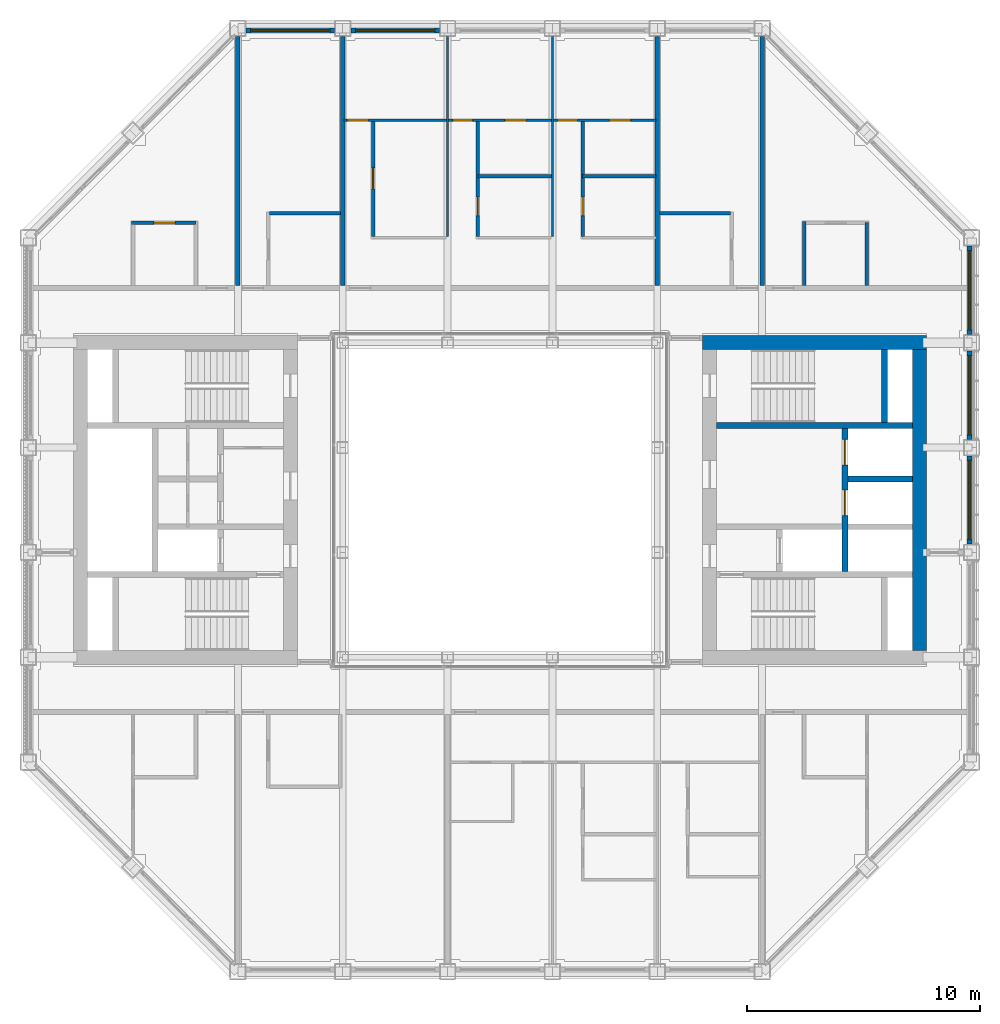
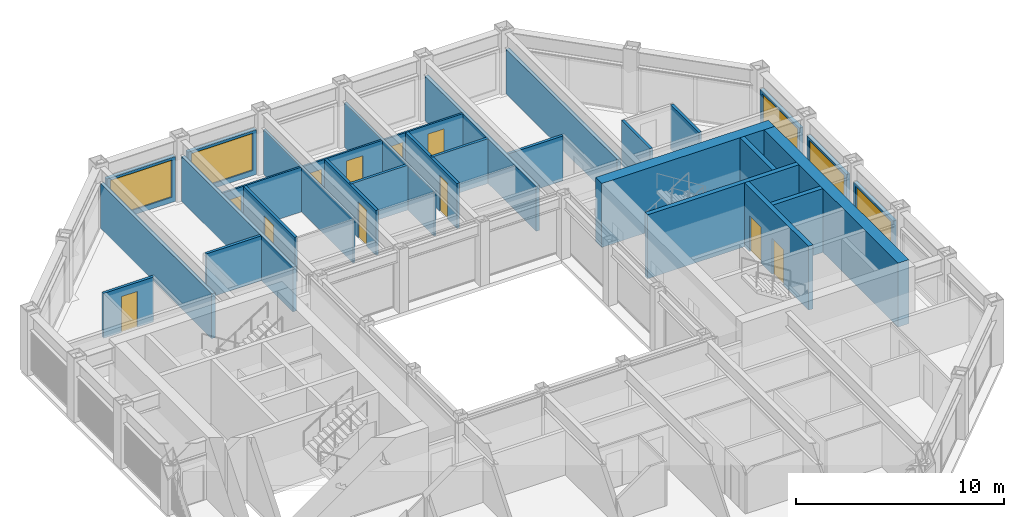
# One storey, part 12 of 17: 30 walls, 11 doors, 5 windows, 16 openings.
"""IFC4 building model written with IfcOpenShell, lengths in metres."""

from ifc_helpers import new_model, si_unit, direction, frame, frame_2d, origin, place, context, subcontext, project, spatial, rectangle, extrude, material, layer, layer_set, type_object, element, fill, save


model = new_model("IFC4")

# Units and contexts
model_context = context("Model", 3, precision=1e-05, world=origin(), true_north=direction((0.0, 1.0)))
body_context = subcontext(model_context, "Body", "Model", "MODEL_VIEW")
ifc_project = project(units=[si_unit("LENGTHUNIT", "METRE"), si_unit("AREAUNIT", "SQUARE_METRE"), si_unit("VOLUMEUNIT", "CUBIC_METRE"), si_unit("PLANEANGLEUNIT", "RADIAN"), si_unit("MASSUNIT", "GRAM", prefix="KILO")], contexts=[model_context])

# Site, building, storey
site_placement = place(None, origin())
site = spatial("IfcSite", under=ifc_project, at=site_placement, CompositionType="ELEMENT")
building_placement = place(site_placement, origin())
building = spatial("IfcBuilding", under=site, at=building_placement, Name="Msasa Ring Tower", CompositionType="ELEMENT")
storey_placement = place(building_placement, frame((0.0, 0.0, 242.050048828125)))
storey = spatial("IfcBuildingStorey", under=building, at=storey_placement, Name="L63", CompositionType="ELEMENT", Elevation=242.050048828125)

# Walls
ifc_material_1 = material(Name="Concrete C60/75", Category="concrete")
ifc_layer_1 = layer(ifc_material_1, 0.60009765625)
ifc_layer_set_1 = layer_set([ifc_layer_1], Name="CW3 CORE WALL 600")
wall_type_1 = type_object("IfcWallType", Name="CW3 CORE WALL 600", PredefinedType="SHEAR", material=ifc_layer_set_1)
wall_1_placement = place(storey_placement, frame((8.699951171875, 6.75, 0.0), z_axis=(0.0, 0.0, 1.0), x_axis=(1.0, 0.0, 0.0)))
element("IfcWall", 1, at=wall_1_placement, inside=storey, type_object=wall_type_1, Name="E core wall N L63", PredefinedType="SHEAR", context=body_context, shape_type="SweptSolid", body=[
    extrude(rectangle(XDim=9.60009765625, YDim=0.60009765625, at=frame_2d((4.800048828125, 0.0))), origin(), (0.0, 0.0, 1.0), 3.75),
])
wall_2_placement = place(storey_placement, frame((18.0, -6.449951171875, 0.0), z_axis=(0.0, 0.0, 1.0), x_axis=(0.0, 1.0, 0.0)))
element("IfcWall", 2, at=wall_2_placement, inside=storey, type_object=wall_type_1, Name="E core wall E L63", PredefinedType="SHEAR", context=body_context, shape_type="SweptSolid", body=[
    extrude(rectangle(XDim=12.89990234375, YDim=0.60009765625, at=frame_2d((6.449951171875, 0.0))), origin(), (0.0, 0.0, 1.0), 3.75),
])
ifc_material_2 = material(Name="Concrete C60/75", Category="concrete")
ifc_layer_2 = layer(ifc_material_2, 0.25)
ifc_layer_set_2 = layer_set([ifc_layer_2], Name="CW4 CORE INNER WALL 250")
wall_type_2 = type_object("IfcWallType", Name="CW4 CORE INNER WALL 250", PredefinedType="SHEAR", material=ifc_layer_set_2)
wall_3_placement = place(storey_placement, frame((9.300048828125, 3.199951171875, 0.0), z_axis=(0.0, 0.0, 1.0), x_axis=(1.0, 0.0, 0.0)))
element("IfcWall", 3, at=wall_3_placement, inside=storey, type_object=wall_type_2, Name="E core wall STAIRB L63", PredefinedType="SHEAR", context=body_context, shape_type="SweptSolid", body=[
    extrude(rectangle(XDim=8.39990234375, YDim=0.25, at=frame_2d((4.199951171875, 0.0))), origin(), (0.0, 0.0, 1.0), 3.75),
])
wall_4_placement = place(storey_placement, frame((16.5, 3.324951171875, 0.0), z_axis=(0.0, 0.0, 1.0), x_axis=(0.0, 1.0, 0.0)))
element("IfcWall", 4, at=wall_4_placement, inside=storey, type_object=wall_type_2, Name="E core wall RISERB L63", PredefinedType="SHEAR", context=body_context, shape_type="SweptSolid", body=[
    extrude(rectangle(XDim=3.125, YDim=0.25, at=frame_2d((1.5625, 0.0))), origin(), (0.0, 0.0, 1.0), 3.75),
])

# Wall, openings, doors
wall_5_placement = place(storey_placement, frame((14.800048828125, -3.074951171875, 0.0), z_axis=(0.0, 0.0, 1.0), x_axis=(0.0, 1.0, 0.0)))
wall_5 = element("IfcWall", 5, at=wall_5_placement, inside=storey, type_object=wall_type_2, Name="E core wall SHAFT L63", PredefinedType="SHEAR", context=body_context, shape_type="SweptSolid", body=[
    extrude(rectangle(XDim=6.14990234375, YDim=0.25, at=frame_2d((3.074951171875, 0.0))), origin(), (0.0, 0.0, 1.0), 3.75),
])
opening_1_placement = place(wall_5_placement, frame((2.39990234375, 0.0, 0.0)))
opening_1 = element("IfcOpeningElement", 6, at=opening_1_placement, cuts=wall_5, Name="Opening LD1", PredefinedType="OPENING", context=body_context, shape_type="SweptSolid", body=[
    extrude(rectangle(XDim=1.10009765625, YDim=2.10009765625, at=frame_2d((0.550048828125, 1.050048828125))), frame((0.0, 0.135009765625, 0.0), z_axis=(0.0, -1.0, 0.0), x_axis=(1.0, 0.0, 0.0)), (0.0, 0.0, 1.0), 0.27001953125),
])
opening_2_placement = place(wall_5_placement, frame((4.574951171875, 0.0, 0.0)))
opening_2 = element("IfcOpeningElement", 7, at=opening_2_placement, cuts=wall_5, Name="Opening LD1", PredefinedType="OPENING", context=body_context, shape_type="SweptSolid", body=[
    extrude(rectangle(XDim=1.10009765625, YDim=2.10009765625, at=frame_2d((0.550048828125, 1.050048828125))), frame((0.0, 0.135009765625, 0.0), z_axis=(0.0, -1.0, 0.0), x_axis=(1.0, 0.0, 0.0)), (0.0, 0.0, 1.0), 0.27001953125),
])
ifc_material_3 = material(Name="Stainless steel lift landing door", Category="steel")
door_type_1 = type_object("IfcDoorType", Name="LD1 LIFT LANDING DOOR 1100x2100", OperationType="DOUBLE_DOOR_SLIDING", PredefinedType="DOOR", material=ifc_material_3)
door_1_placement = place(opening_1_placement, origin())
door_1 = element("IfcDoor", 8, at=door_1_placement, inside=storey, type_object=door_type_1, Name="Lift landing door PL-H1 L63", OperationType="DOUBLE_DOOR_SLIDING", OverallHeight=2.10009765625, OverallWidth=1.10009765625, PredefinedType="DOOR", context=body_context, shape_type="SweptSolid", body=[
    extrude(rectangle(XDim=1.10009765625, YDim=2.10009765625, at=frame_2d((0.550048828125, 1.050048828125))), frame((0.0, 0.02490234375, 0.0), z_axis=(0.0, -1.0, 0.0), x_axis=(1.0, 0.0, 0.0)), (0.0, 0.0, 1.0), 0.050048828125),
])
fill(opening_1, door_1)
door_2_placement = place(opening_2_placement, origin())
door_2 = element("IfcDoor", 9, at=door_2_placement, inside=storey, type_object=door_type_1, Name="Lift landing door PL-H2 L63", OperationType="DOUBLE_DOOR_SLIDING", OverallHeight=2.10009765625, OverallWidth=1.10009765625, PredefinedType="DOOR", context=body_context, shape_type="SweptSolid", body=[
    extrude(rectangle(XDim=1.10009765625, YDim=2.10009765625, at=frame_2d((0.550048828125, 1.050048828125))), frame((0.0, 0.02490234375, 0.0), z_axis=(0.0, -1.0, 0.0), x_axis=(1.0, 0.0, 0.0)), (0.0, 0.0, 1.0), 0.050048828125),
])
fill(opening_2, door_2)

# Wall
wall_6_placement = place(storey_placement, frame((14.925048828125, 0.89990234375, 0.0), z_axis=(0.0, 0.0, 1.0), x_axis=(1.0, 0.0, 0.0)))
element("IfcWall", 10, at=wall_6_placement, inside=storey, type_object=wall_type_2, Name="E core wall HLIFT L63", PredefinedType="SHEAR", context=body_context, shape_type="SweptSolid", body=[
    extrude(rectangle(XDim=2.77490234375, YDim=0.25, at=frame_2d((1.387451171875, 0.0))), origin(), (0.0, 0.0, 1.0), 3.75),
])

# Wall, opening, window
ifc_material_4 = material(Name="Terracotta rainscreen on blockwork", Category="masonry")
ifc_layer_3 = layer(ifc_material_4, 0.199951171875)
ifc_layer_set_3 = layer_set([ifc_layer_3], Name="FW1 TERRACOTTA-LINED INFILL BAY WALL 200")
wall_type_3 = type_object("IfcWallType", Name="FW1 TERRACOTTA-LINED INFILL BAY WALL 200", PredefinedType="SOLIDWALL", material=ifc_layer_set_3)
wall_7_placement = place(storey_placement, frame((20.14990234375, -1.89501953125, 0.0), z_axis=(0.0, 0.0, 1.0), x_axis=(0.0, 1.0, 0.0)))
wall_7 = element("IfcWall", 11, at=wall_7_placement, inside=storey, type_object=wall_type_3, Name="Infill bay wall E L63 09", PredefinedType="SOLIDWALL", context=body_context, shape_type="SweptSolid", body=[
    extrude(rectangle(XDim=3.7900390625, YDim=0.199951171875, at=frame_2d((1.89501953125, 0.0))), origin(), (0.0, 0.0, 1.0), 2.62890625),
])
opening_3_placement = place(wall_7_placement, frame((0.195068359375, 0.0, 0.300048828125)))
opening_3 = element("IfcOpeningElement", 12, at=opening_3_placement, cuts=wall_7, Name="Opening WN3", PredefinedType="OPENING", context=body_context, shape_type="SweptSolid", body=[
    extrude(rectangle(XDim=3.39990234375, YDim=2.178955078125, at=frame_2d((1.699951171875, 1.08935546875))), frame((0.0, 0.10986328125, 0.0), z_axis=(0.0, -1.0, 0.0), x_axis=(1.0, 0.0, 0.0)), (0.0, 0.0, 1.0), 0.219970703125),
])
ifc_material_5 = material(Name="Aluminium frame with clear glass", Category="aluminium")
window_type = type_object("IfcWindowType", Name="WN3 SUITE WINDOW 3400x2179", PartitioningType="SINGLE_PANEL", PredefinedType="WINDOW", material=ifc_material_5)
window_1_placement = place(opening_3_placement, origin())
window_1 = element("IfcWindow", 13, at=window_1_placement, inside=storey, type_object=window_type, Name="Window E L63 09", OverallHeight=2.178955078125, OverallWidth=3.39990234375, PartitioningType="SINGLE_PANEL", PredefinedType="WINDOW", context=body_context, shape_type="SweptSolid", body=[
    extrude(rectangle(XDim=3.39990234375, YDim=2.178955078125, at=frame_2d((1.699951171875, 1.08935546875))), frame((0.0, 0.030029296875, 0.0), z_axis=(0.0, -1.0, 0.0), x_axis=(1.0, 0.0, 0.0)), (0.0, 0.0, 1.0), 0.06005859375),
])
fill(opening_3, window_1)

wall_8_placement = place(storey_placement, frame((20.14990234375, 2.60498046875, 0.0), z_axis=(0.0, 0.0, 1.0), x_axis=(0.0, 1.0, 0.0)))
wall_8 = element("IfcWall", 14, at=wall_8_placement, inside=storey, type_object=wall_type_3, Name="Infill bay wall E L63 10", PredefinedType="SOLIDWALL", context=body_context, shape_type="SweptSolid", body=[
    extrude(rectangle(XDim=3.7900390625, YDim=0.199951171875, at=frame_2d((1.89501953125, 0.0))), origin(), (0.0, 0.0, 1.0), 2.62890625),
])
opening_4_placement = place(wall_8_placement, frame((0.195068359375, 0.0, 0.300048828125)))
opening_4 = element("IfcOpeningElement", 15, at=opening_4_placement, cuts=wall_8, Name="Opening WN3", PredefinedType="OPENING", context=body_context, shape_type="SweptSolid", body=[
    extrude(rectangle(XDim=3.39990234375, YDim=2.178955078125, at=frame_2d((1.699951171875, 1.08935546875))), frame((0.0, 0.10986328125, 0.0), z_axis=(0.0, -1.0, 0.0), x_axis=(1.0, 0.0, 0.0)), (0.0, 0.0, 1.0), 0.219970703125),
])
window_2_placement = place(opening_4_placement, origin())
window_2 = element("IfcWindow", 16, at=window_2_placement, inside=storey, type_object=window_type, Name="Window E L63 10", OverallHeight=2.178955078125, OverallWidth=3.39990234375, PartitioningType="SINGLE_PANEL", PredefinedType="WINDOW", context=body_context, shape_type="SweptSolid", body=[
    extrude(rectangle(XDim=3.39990234375, YDim=2.178955078125, at=frame_2d((1.699951171875, 1.08935546875))), frame((0.0, 0.030029296875, 0.0), z_axis=(0.0, -1.0, 0.0), x_axis=(1.0, 0.0, 0.0)), (0.0, 0.0, 1.0), 0.06005859375),
])
fill(opening_4, window_2)

wall_9_placement = place(storey_placement, frame((20.14990234375, 7.10498046875, 0.0), z_axis=(0.0, 0.0, 1.0), x_axis=(0.0, 1.0, 0.0)))
wall_9 = element("IfcWall", 17, at=wall_9_placement, inside=storey, type_object=wall_type_3, Name="Infill bay wall E L63 11", PredefinedType="SOLIDWALL", context=body_context, shape_type="SweptSolid", body=[
    extrude(rectangle(XDim=3.7900390625, YDim=0.199951171875, at=frame_2d((1.89501953125, 0.0))), origin(), (0.0, 0.0, 1.0), 2.62890625),
])
opening_5_placement = place(wall_9_placement, frame((0.195068359375, 0.0, 0.300048828125)))
opening_5 = element("IfcOpeningElement", 18, at=opening_5_placement, cuts=wall_9, Name="Opening WN3", PredefinedType="OPENING", context=body_context, shape_type="SweptSolid", body=[
    extrude(rectangle(XDim=3.39990234375, YDim=2.178955078125, at=frame_2d((1.699951171875, 1.08935546875))), frame((0.0, 0.10986328125, 0.0), z_axis=(0.0, -1.0, 0.0), x_axis=(1.0, 0.0, 0.0)), (0.0, 0.0, 1.0), 0.219970703125),
])
window_3_placement = place(opening_5_placement, origin())
window_3 = element("IfcWindow", 19, at=window_3_placement, inside=storey, type_object=window_type, Name="Window E L63 11", OverallHeight=2.178955078125, OverallWidth=3.39990234375, PartitioningType="SINGLE_PANEL", PredefinedType="WINDOW", context=body_context, shape_type="SweptSolid", body=[
    extrude(rectangle(XDim=3.39990234375, YDim=2.178955078125, at=frame_2d((1.699951171875, 1.08935546875))), frame((0.0, 0.030029296875, 0.0), z_axis=(0.0, -1.0, 0.0), x_axis=(1.0, 0.0, 0.0)), (0.0, 0.0, 1.0), 0.06005859375),
])
fill(opening_5, window_3)

wall_10_placement = place(storey_placement, frame((-10.89501953125, 20.14990234375, 0.0), z_axis=(0.0, 0.0, 1.0), x_axis=(1.0, 0.0, 0.0)))
wall_10 = element("IfcWall", 20, at=wall_10_placement, inside=storey, type_object=wall_type_3, Name="Infill bay wall N L63 14", PredefinedType="SOLIDWALL", context=body_context, shape_type="SweptSolid", body=[
    extrude(rectangle(XDim=3.7900390625, YDim=0.199951171875, at=frame_2d((1.89501953125, 0.0))), origin(), (0.0, 0.0, 1.0), 2.62890625),
])
opening_6_placement = place(wall_10_placement, frame((0.195068359375, 0.0, 0.300048828125)))
opening_6 = element("IfcOpeningElement", 21, at=opening_6_placement, cuts=wall_10, Name="Opening WN3", PredefinedType="OPENING", context=body_context, shape_type="SweptSolid", body=[
    extrude(rectangle(XDim=3.39990234375, YDim=2.178955078125, at=frame_2d((1.699951171875, 1.08935546875))), frame((0.0, 0.10986328125, 0.0), z_axis=(0.0, -1.0, 0.0), x_axis=(1.0, 0.0, 0.0)), (0.0, 0.0, 1.0), 0.219970703125),
])
window_4_placement = place(opening_6_placement, origin())
window_4 = element("IfcWindow", 22, at=window_4_placement, inside=storey, type_object=window_type, Name="Window N L63 14", OverallHeight=2.178955078125, OverallWidth=3.39990234375, PartitioningType="SINGLE_PANEL", PredefinedType="WINDOW", context=body_context, shape_type="SweptSolid", body=[
    extrude(rectangle(XDim=3.39990234375, YDim=2.178955078125, at=frame_2d((1.699951171875, 1.08935546875))), frame((0.0, 0.030029296875, 0.0), z_axis=(0.0, -1.0, 0.0), x_axis=(1.0, 0.0, 0.0)), (0.0, 0.0, 1.0), 0.06005859375),
])
fill(opening_6, window_4)

wall_11_placement = place(storey_placement, frame((-6.39501953125, 20.14990234375, 0.0), z_axis=(0.0, 0.0, 1.0), x_axis=(1.0, 0.0, 0.0)))
wall_11 = element("IfcWall", 23, at=wall_11_placement, inside=storey, type_object=wall_type_3, Name="Infill bay wall N L63 15", PredefinedType="SOLIDWALL", context=body_context, shape_type="SweptSolid", body=[
    extrude(rectangle(XDim=3.7900390625, YDim=0.199951171875, at=frame_2d((1.89501953125, 0.0))), origin(), (0.0, 0.0, 1.0), 2.62890625),
])
opening_7_placement = place(wall_11_placement, frame((0.195068359375, 0.0, 0.300048828125)))
opening_7 = element("IfcOpeningElement", 24, at=opening_7_placement, cuts=wall_11, Name="Opening WN3", PredefinedType="OPENING", context=body_context, shape_type="SweptSolid", body=[
    extrude(rectangle(XDim=3.39990234375, YDim=2.178955078125, at=frame_2d((1.699951171875, 1.08935546875))), frame((0.0, 0.10986328125, 0.0), z_axis=(0.0, -1.0, 0.0), x_axis=(1.0, 0.0, 0.0)), (0.0, 0.0, 1.0), 0.219970703125),
])
window_5_placement = place(opening_7_placement, origin())
window_5 = element("IfcWindow", 25, at=window_5_placement, inside=storey, type_object=window_type, Name="Window N L63 15", OverallHeight=2.178955078125, OverallWidth=3.39990234375, PartitioningType="SINGLE_PANEL", PredefinedType="WINDOW", context=body_context, shape_type="SweptSolid", body=[
    extrude(rectangle(XDim=3.39990234375, YDim=2.178955078125, at=frame_2d((1.699951171875, 1.08935546875))), frame((0.0, 0.030029296875, 0.0), z_axis=(0.0, -1.0, 0.0), x_axis=(1.0, 0.0, 0.0)), (0.0, 0.0, 1.0), 0.06005859375),
])
fill(opening_7, window_5)

# Wall, opening, door
ifc_material_6 = material(Name="Gypsum board on steel studs", Category="steel")
ifc_layer_4 = layer(ifc_material_6, 0.10009765625)
ifc_layer_set_4 = layer_set([ifc_layer_4], Name="PT2 STUD PARTITION 100")
wall_type_4 = type_object("IfcWallType", Name="PT2 STUD PARTITION 100", PredefinedType="PARTITIONING", material=ifc_layer_set_4)
wall_12_placement = place(storey_placement, frame((-6.68994140625, 16.300048828125, 0.0), z_axis=(0.0, 0.0, 1.0), x_axis=(1.0, 0.0, 0.0)))
wall_12 = element("IfcWall", 26, at=wall_12_placement, inside=storey, type_object=wall_type_4, Name="Partition L63-JN01SY0", PredefinedType="PARTITIONING", context=body_context, shape_type="SweptSolid", body=[
    extrude(rectangle(XDim=4.389892578125, YDim=0.10009765625, at=frame_2d((2.19482421875, 0.0))), origin(), (0.0, 0.0, 1.0), 2.62890625),
])
opening_8_placement = place(wall_12_placement, frame((0.139892578125, 0.0, 0.0)))
opening_8 = element("IfcOpeningElement", 27, at=opening_8_placement, cuts=wall_12, Name="Opening SD-001", PredefinedType="OPENING", context=body_context, shape_type="SweptSolid", body=[
    extrude(rectangle(XDim=0.89990234375, YDim=2.10009765625, at=frame_2d((0.449951171875, 1.050048828125))), frame((0.0, 0.06005859375, 0.0), z_axis=(0.0, -1.0, 0.0), x_axis=(1.0, 0.0, 0.0)), (0.0, 0.0, 1.0), 0.1201171875),
])
ifc_material_7 = material(Name="Timber door leaf in a steel frame", Category="steel")
door_type_2 = type_object("IfcDoorType", Name="D22 INTERNAL HALL DOOR 900x2100", OperationType="SINGLE_SWING_LEFT", PredefinedType="DOOR", material=ifc_material_7)
door_3_placement = place(opening_8_placement, origin())
door_3 = element("IfcDoor", 28, at=door_3_placement, inside=storey, type_object=door_type_2, Name="Door L63-JN01L", OperationType="SINGLE_SWING_LEFT", OverallHeight=2.10009765625, OverallWidth=0.89990234375, PredefinedType="DOOR", context=body_context, shape_type="SweptSolid", body=[
    extrude(rectangle(XDim=0.89990234375, YDim=2.10009765625, at=frame_2d((0.449951171875, 1.050048828125))), frame((0.0, 0.02490234375, 0.0), z_axis=(0.0, -1.0, 0.0), x_axis=(1.0, 0.0, 0.0)), (0.0, 0.0, 1.0), 0.050048828125),
])
fill(opening_8, door_3)

# Wall
wall_13_placement = place(storey_placement, frame((-2.25, 11.300048828125, 0.0), z_axis=(0.0, 0.0, 1.0), x_axis=(0.0, 1.0, 0.0)))
element("IfcWall", 29, at=wall_13_placement, inside=storey, type_object=wall_type_4, Name="Partition L63-JN01P1", PredefinedType="PARTITIONING", context=body_context, shape_type="SweptSolid", body=[
    extrude(rectangle(XDim=8.599853515625, YDim=0.10009765625, at=frame_2d((4.2998046875, 0.0))), origin(), (0.0, 0.0, 1.0), 2.62890625),
])

# Wall, openings, doors
wall_14_placement = place(storey_placement, frame((-2.199951171875, 16.300048828125, 0.0), z_axis=(0.0, 0.0, 1.0), x_axis=(1.0, 0.0, 0.0)))
wall_14 = element("IfcWall", 30, at=wall_14_placement, inside=storey, type_object=wall_type_4, Name="Partition L63-JN01SY1", PredefinedType="PARTITIONING", context=body_context, shape_type="SweptSolid", body=[
    extrude(rectangle(XDim=4.39990234375, YDim=0.10009765625, at=frame_2d((2.199951171875, 0.0))), origin(), (0.0, 0.0, 1.0), 2.62890625),
])
opening_9_placement = place(wall_14_placement, frame((0.175048828125, 0.0, 0.0)))
opening_9 = element("IfcOpeningElement", 31, at=opening_9_placement, cuts=wall_14, Name="Opening SD-002", PredefinedType="OPENING", context=body_context, shape_type="SweptSolid", body=[
    extrude(rectangle(XDim=0.85009765625, YDim=2.10009765625, at=frame_2d((0.425048828125, 1.050048828125))), frame((0.0, 0.06005859375, 0.0), z_axis=(0.0, -1.0, 0.0), x_axis=(1.0, 0.0, 0.0)), (0.0, 0.0, 1.0), 0.1201171875),
])
opening_10_placement = place(wall_14_placement, frame((2.409912109375, 0.0, 0.0)))
opening_10 = element("IfcOpeningElement", 32, at=opening_10_placement, cuts=wall_14, Name="Opening SD-003", PredefinedType="OPENING", context=body_context, shape_type="SweptSolid", body=[
    extrude(rectangle(XDim=0.89990234375, YDim=2.10009765625, at=frame_2d((0.449951171875, 1.050048828125))), frame((0.0, 0.06005859375, 0.0), z_axis=(0.0, -1.0, 0.0), x_axis=(1.0, 0.0, 0.0)), (0.0, 0.0, 1.0), 0.1201171875),
])
ifc_material_8 = material(Name="Timber door leaf in a steel frame", Category="steel")
door_type_3 = type_object("IfcDoorType", Name="D14 BEDROOM DOOR 850x2100", OperationType="SINGLE_SWING_LEFT", PredefinedType="DOOR", material=ifc_material_8)
door_4_placement = place(opening_9_placement, origin())
door_4 = element("IfcDoor", 33, at=door_4_placement, inside=storey, type_object=door_type_3, Name="Door L63-JN01R1", OperationType="SINGLE_SWING_LEFT", OverallHeight=2.10009765625, OverallWidth=0.85009765625, PredefinedType="DOOR", context=body_context, shape_type="SweptSolid", body=[
    extrude(rectangle(XDim=0.85009765625, YDim=2.10009765625, at=frame_2d((0.425048828125, 1.050048828125))), frame((0.0, 0.02490234375, 0.0), z_axis=(0.0, -1.0, 0.0), x_axis=(1.0, 0.0, 0.0)), (0.0, 0.0, 1.0), 0.050048828125),
])
fill(opening_9, door_4)
ifc_material_9 = material(Name="Timber door leaf in a steel frame", Category="steel")
door_type_4 = type_object("IfcDoorType", Name="D3 BATHROOM DOOR 900x2100", OperationType="SINGLE_SWING_LEFT", PredefinedType="DOOR", material=ifc_material_9)
door_5_placement = place(opening_10_placement, origin())
door_5 = element("IfcDoor", 34, at=door_5_placement, inside=storey, type_object=door_type_4, Name="Door L63-JN01B1", OperationType="SINGLE_SWING_RIGHT", OverallHeight=2.10009765625, OverallWidth=0.89990234375, PredefinedType="DOOR", context=body_context, shape_type="SweptSolid", body=[
    extrude(rectangle(XDim=0.89990234375, YDim=2.10009765625, at=frame_2d((0.449951171875, 1.050048828125))), frame((0.0, 0.02490234375, 0.0), z_axis=(0.0, -1.0, 0.0), x_axis=(1.0, 0.0, 0.0)), (0.0, 0.0, 1.0), 0.050048828125),
])
fill(opening_10, door_5)

# Wall
wall_15_placement = place(storey_placement, frame((2.25, 11.300048828125, 0.0), z_axis=(0.0, 0.0, 1.0), x_axis=(0.0, 1.0, 0.0)))
element("IfcWall", 35, at=wall_15_placement, inside=storey, type_object=wall_type_4, Name="Partition L63-JN01P2", PredefinedType="PARTITIONING", context=body_context, shape_type="SweptSolid", body=[
    extrude(rectangle(XDim=8.599853515625, YDim=0.10009765625, at=frame_2d((4.2998046875, 0.0))), origin(), (0.0, 0.0, 1.0), 2.62890625),
])

# Wall, openings, doors
wall_16_placement = place(storey_placement, frame((2.300048828125, 16.300048828125, 0.0), z_axis=(0.0, 0.0, 1.0), x_axis=(1.0, 0.0, 0.0)))
wall_16 = element("IfcWall", 36, at=wall_16_placement, inside=storey, type_object=wall_type_4, Name="Partition L63-JN01SY2", PredefinedType="PARTITIONING", context=body_context, shape_type="SweptSolid", body=[
    extrude(rectangle(XDim=4.389892578125, YDim=0.10009765625, at=frame_2d((2.19482421875, 0.0))), origin(), (0.0, 0.0, 1.0), 2.62890625),
])
opening_11_placement = place(wall_16_placement, frame((0.175048828125, 0.0, 0.0)))
opening_11 = element("IfcOpeningElement", 37, at=opening_11_placement, cuts=wall_16, Name="Opening SD-004", PredefinedType="OPENING", context=body_context, shape_type="SweptSolid", body=[
    extrude(rectangle(XDim=0.85009765625, YDim=2.10009765625, at=frame_2d((0.425048828125, 1.050048828125))), frame((0.0, 0.06005859375, 0.0), z_axis=(0.0, -1.0, 0.0), x_axis=(1.0, 0.0, 0.0)), (0.0, 0.0, 1.0), 0.1201171875),
])
opening_12_placement = place(wall_16_placement, frame((2.409912109375, 0.0, 0.0)))
opening_12 = element("IfcOpeningElement", 38, at=opening_12_placement, cuts=wall_16, Name="Opening SD-005", PredefinedType="OPENING", context=body_context, shape_type="SweptSolid", body=[
    extrude(rectangle(XDim=0.89990234375, YDim=2.10009765625, at=frame_2d((0.449951171875, 1.050048828125))), frame((0.0, 0.06005859375, 0.0), z_axis=(0.0, -1.0, 0.0), x_axis=(1.0, 0.0, 0.0)), (0.0, 0.0, 1.0), 0.1201171875),
])
door_6_placement = place(opening_11_placement, origin())
door_6 = element("IfcDoor", 39, at=door_6_placement, inside=storey, type_object=door_type_3, Name="Door L63-JN01R2", OperationType="SINGLE_SWING_LEFT", OverallHeight=2.10009765625, OverallWidth=0.85009765625, PredefinedType="DOOR", context=body_context, shape_type="SweptSolid", body=[
    extrude(rectangle(XDim=0.85009765625, YDim=2.10009765625, at=frame_2d((0.425048828125, 1.050048828125))), frame((0.0, 0.02490234375, 0.0), z_axis=(0.0, -1.0, 0.0), x_axis=(1.0, 0.0, 0.0)), (0.0, 0.0, 1.0), 0.050048828125),
])
fill(opening_11, door_6)
door_7_placement = place(opening_12_placement, origin())
door_7 = element("IfcDoor", 40, at=door_7_placement, inside=storey, type_object=door_type_4, Name="Door L63-JN01B2", OperationType="SINGLE_SWING_RIGHT", OverallHeight=2.10009765625, OverallWidth=0.89990234375, PredefinedType="DOOR", context=body_context, shape_type="SweptSolid", body=[
    extrude(rectangle(XDim=0.89990234375, YDim=2.10009765625, at=frame_2d((0.449951171875, 1.050048828125))), frame((0.0, 0.02490234375, 0.0), z_axis=(0.0, -1.0, 0.0), x_axis=(1.0, 0.0, 0.0)), (0.0, 0.0, 1.0), 0.050048828125),
])
fill(opening_12, door_7)

# Walls
ifc_material_10 = material(Name="Dense concrete blockwork, plastered both faces", Category="masonry")
ifc_layer_5 = layer(ifc_material_10, 0.25)
ifc_layer_set_5 = layer_set([ifc_layer_5], Name="PT3 APARTMENT SEPARATING WALL 250")
wall_type_5 = type_object("IfcWallType", Name="PT3 APARTMENT SEPARATING WALL 250", PredefinedType="PARTITIONING", material=ifc_layer_set_5)
for number, where, z_axis, x_axis, name in (
    (41, (-11.25, 9.199951171875, 0.0), (0.0, 0.0, 1.0), (0.0, 1.0, 0.0), "Party wall L63-PWN-11.25"),
    (42, (-6.75, 9.199951171875, 0.0), (0.0, 0.0, 1.0), (0.0, 1.0, 0.0), "Party wall L63-PWN-6.75"),
    (43, (6.75, 9.199951171875, 0.0), (0.0, 0.0, 1.0), (0.0, 1.0, 0.0), "Party wall L63-PWN+6.75"),
    (44, (11.25, 9.199951171875, 0.0), (0.0, 0.0, 1.0), (0.0, 1.0, 0.0), "Party wall L63-PWN+11.25"),
):
    element("IfcWall", number, at=place(storey_placement, frame(where, z_axis=z_axis, x_axis=x_axis)), inside=storey, type_object=wall_type_5, Name=name, PredefinedType="PARTITIONING", context=body_context, shape_type="SweptSolid", body=[
        extrude(rectangle(XDim=10.699951171875, YDim=0.199951171875, at=frame_2d((5.35009765625, 0.0))), origin(), (0.0, 0.0, 1.0), 2.62890625),
    ])
ifc_material_11 = material(Name="Moisture-resistant board on steel studs with a concealed cistern and pipe void, tiled", Category="steel")
ifc_layer_6 = layer(ifc_material_11, 0.14990234375)
ifc_layer_set_6 = layer_set([ifc_layer_6], Name="PT4 BATHROOM WET WALL 150")
wall_type_6 = type_object("IfcWallType", Name="PT4 BATHROOM WET WALL 150", PredefinedType="PARTITIONING", material=ifc_layer_set_6)
wall_17_placement = place(storey_placement, frame((-9.89990234375, 12.300048828125, 0.0), z_axis=(0.0, 0.0, 1.0), x_axis=(1.0, 0.0, 0.0)))
element("IfcWall", 45, at=wall_17_placement, inside=storey, type_object=wall_type_6, Name="Partition L63-JN00BY", PredefinedType="PARTITIONING", context=body_context, shape_type="SweptSolid", body=[
    extrude(rectangle(XDim=3.0498046875, YDim=0.14990234375, at=frame_2d((1.52490234375, 0.0))), origin(), (0.0, 0.0, 1.0), 2.62890625),
])

# Wall, opening, door
wall_18_placement = place(storey_placement, frame((-5.449951171875, 11.300048828125, 0.0), z_axis=(0.0, 0.0, 1.0), x_axis=(0.0, 1.0, 0.0)))
wall_18 = element("IfcWall", 46, at=wall_18_placement, inside=storey, type_object=wall_type_6, Name="Partition L63-JN01SX0", PredefinedType="PARTITIONING", context=body_context, shape_type="SweptSolid", body=[
    extrude(rectangle(XDim=5.0, YDim=0.14990234375, at=frame_2d((2.5, 0.0))), origin(), (0.0, 0.0, 1.0), 2.62890625),
])
opening_13_placement = place(wall_18_placement, frame((2.050048828125, 0.0, 0.0)))
opening_13 = element("IfcOpeningElement", 47, at=opening_13_placement, cuts=wall_18, Name="Opening SD-006", PredefinedType="OPENING", context=body_context, shape_type="SweptSolid", body=[
    extrude(rectangle(XDim=0.89990234375, YDim=2.10009765625, at=frame_2d((0.449951171875, 1.050048828125))), frame((0.0, 0.0849609375, 0.0), z_axis=(0.0, -1.0, 0.0), x_axis=(1.0, 0.0, 0.0)), (0.0, 0.0, 1.0), 0.169921875),
])
door_8_placement = place(opening_13_placement, origin())
door_8 = element("IfcDoor", 48, at=door_8_placement, inside=storey, type_object=door_type_2, Name="Door L63-JN01K", OperationType="SINGLE_SWING_LEFT", OverallHeight=2.10009765625, OverallWidth=0.89990234375, PredefinedType="DOOR", context=body_context, shape_type="SweptSolid", body=[
    extrude(rectangle(XDim=0.89990234375, YDim=2.10009765625, at=frame_2d((0.449951171875, 1.050048828125))), frame((0.0, 0.02490234375, 0.0), z_axis=(0.0, -1.0, 0.0), x_axis=(1.0, 0.0, 0.0)), (0.0, 0.0, 1.0), 0.050048828125),
])
fill(opening_13, door_8)

wall_19_placement = place(storey_placement, frame((-0.949951171875, 11.300048828125, 0.0), z_axis=(0.0, 0.0, 1.0), x_axis=(0.0, 1.0, 0.0)))
wall_19 = element("IfcWall", 49, at=wall_19_placement, inside=storey, type_object=wall_type_6, Name="Partition L63-JN01SX1", PredefinedType="PARTITIONING", context=body_context, shape_type="SweptSolid", body=[
    extrude(rectangle(XDim=5.0, YDim=0.14990234375, at=frame_2d((2.5, 0.0))), origin(), (0.0, 0.0, 1.0), 2.62890625),
])
opening_14_placement = place(wall_19_placement, frame((0.89990234375, 0.0, 0.0)))
opening_14 = element("IfcOpeningElement", 50, at=opening_14_placement, cuts=wall_19, Name="Opening SD-007", PredefinedType="OPENING", context=body_context, shape_type="SweptSolid", body=[
    extrude(rectangle(XDim=0.800048828125, YDim=2.10009765625, at=frame_2d((0.39990234375, 1.050048828125))), frame((0.0, 0.0849609375, 0.0), z_axis=(0.0, -1.0, 0.0), x_axis=(1.0, 0.0, 0.0)), (0.0, 0.0, 1.0), 0.169921875),
])
ifc_material_12 = material(Name="Timber door leaf in a steel frame", Category="steel")
door_type_5 = type_object("IfcDoorType", Name="D60 DRESSING ROOM DOOR 800x2100", OperationType="SINGLE_SWING_LEFT", PredefinedType="DOOR", material=ifc_material_12)
door_9_placement = place(opening_14_placement, origin())
door_9 = element("IfcDoor", 51, at=door_9_placement, inside=storey, type_object=door_type_5, Name="Door L63-JN01W1", OperationType="SINGLE_SWING_LEFT", OverallHeight=2.10009765625, OverallWidth=0.800048828125, PredefinedType="DOOR", context=body_context, shape_type="SweptSolid", body=[
    extrude(rectangle(XDim=0.800048828125, YDim=2.10009765625, at=frame_2d((0.39990234375, 1.050048828125))), frame((0.0, 0.02490234375, 0.0), z_axis=(0.0, -1.0, 0.0), x_axis=(1.0, 0.0, 0.0)), (0.0, 0.0, 1.0), 0.050048828125),
])
fill(opening_14, door_9)

# Wall
wall_20_placement = place(storey_placement, frame((-0.949951171875, 13.89990234375, 0.0), z_axis=(0.0, 0.0, 1.0), x_axis=(1.0, 0.0, 0.0)))
element("IfcWall", 52, at=wall_20_placement, inside=storey, type_object=wall_type_6, Name="Partition L63-JN01SB1", PredefinedType="PARTITIONING", context=body_context, shape_type="SweptSolid", body=[
    extrude(rectangle(XDim=3.14990234375, YDim=0.14990234375, at=frame_2d((1.574951171875, 0.0))), origin(), (0.0, 0.0, 1.0), 2.62890625),
])

# Wall, opening, door
wall_21_placement = place(storey_placement, frame((3.550048828125, 11.300048828125, 0.0), z_axis=(0.0, 0.0, 1.0), x_axis=(0.0, 1.0, 0.0)))
wall_21 = element("IfcWall", 53, at=wall_21_placement, inside=storey, type_object=wall_type_6, Name="Partition L63-JN01SX2", PredefinedType="PARTITIONING", context=body_context, shape_type="SweptSolid", body=[
    extrude(rectangle(XDim=5.0, YDim=0.14990234375, at=frame_2d((2.5, 0.0))), origin(), (0.0, 0.0, 1.0), 2.62890625),
])
opening_15_placement = place(wall_21_placement, frame((0.89990234375, 0.0, 0.0)))
opening_15 = element("IfcOpeningElement", 54, at=opening_15_placement, cuts=wall_21, Name="Opening SD-008", PredefinedType="OPENING", context=body_context, shape_type="SweptSolid", body=[
    extrude(rectangle(XDim=0.800048828125, YDim=2.10009765625, at=frame_2d((0.39990234375, 1.050048828125))), frame((0.0, 0.0849609375, 0.0), z_axis=(0.0, -1.0, 0.0), x_axis=(1.0, 0.0, 0.0)), (0.0, 0.0, 1.0), 0.169921875),
])
door_10_placement = place(opening_15_placement, origin())
door_10 = element("IfcDoor", 55, at=door_10_placement, inside=storey, type_object=door_type_5, Name="Door L63-JN01W2", OperationType="SINGLE_SWING_LEFT", OverallHeight=2.10009765625, OverallWidth=0.800048828125, PredefinedType="DOOR", context=body_context, shape_type="SweptSolid", body=[
    extrude(rectangle(XDim=0.800048828125, YDim=2.10009765625, at=frame_2d((0.39990234375, 1.050048828125))), frame((0.0, 0.02490234375, 0.0), z_axis=(0.0, -1.0, 0.0), x_axis=(1.0, 0.0, 0.0)), (0.0, 0.0, 1.0), 0.050048828125),
])
fill(opening_15, door_10)

# Walls
wall_22_placement = place(storey_placement, frame((3.550048828125, 13.89990234375, 0.0), z_axis=(0.0, 0.0, 1.0), x_axis=(1.0, 0.0, 0.0)))
element("IfcWall", 56, at=wall_22_placement, inside=storey, type_object=wall_type_6, Name="Partition L63-JN01SB2", PredefinedType="PARTITIONING", context=body_context, shape_type="SweptSolid", body=[
    extrude(rectangle(XDim=3.139892578125, YDim=0.14990234375, at=frame_2d((1.56982421875, 0.0))), origin(), (0.0, 0.0, 1.0), 2.62890625),
])
wall_23_placement = place(storey_placement, frame((6.85009765625, 12.300048828125, 0.0), z_axis=(0.0, 0.0, 1.0), x_axis=(1.0, 0.0, 0.0)))
element("IfcWall", 57, at=wall_23_placement, inside=storey, type_object=wall_type_6, Name="Partition L63-JN02BY", PredefinedType="PARTITIONING", context=body_context, shape_type="SweptSolid", body=[
    extrude(rectangle(XDim=3.0498046875, YDim=0.14990234375, at=frame_2d((1.52490234375, 0.0))), origin(), (0.0, 0.0, 1.0), 2.62890625),
])
wall_24_placement = place(storey_placement, frame((13.050048828125, 9.199951171875, 0.0), z_axis=(0.0, 0.0, 1.0), x_axis=(0.0, 1.0, 0.0)))
element("IfcWall", 58, at=wall_24_placement, inside=storey, type_object=wall_type_6, Name="Partition L63-CSNEBX", PredefinedType="PARTITIONING", context=body_context, shape_type="SweptSolid", body=[
    extrude(rectangle(XDim=2.75, YDim=0.14990234375, at=frame_2d((1.375, 0.0))), origin(), (0.0, 0.0, 1.0), 2.62890625),
])
wall_25_placement = place(storey_placement, frame((15.75, 9.199951171875, 0.0), z_axis=(0.0, 0.0, 1.0), x_axis=(0.0, 1.0, 0.0)))
element("IfcWall", 59, at=wall_25_placement, inside=storey, type_object=wall_type_6, Name="Partition L63-CSNEBE", PredefinedType="PARTITIONING", context=body_context, shape_type="SweptSolid", body=[
    extrude(rectangle(XDim=2.699951171875, YDim=0.14990234375, at=frame_2d((1.35009765625, 0.0))), origin(), (0.0, 0.0, 1.0), 2.62890625),
])

# Wall, opening, door
wall_26_placement = place(storey_placement, frame((-15.824951171875, 11.89990234375, 0.0), z_axis=(0.0, 0.0, 1.0), x_axis=(1.0, 0.0, 0.0)))
wall_26 = element("IfcWall", 60, at=wall_26_placement, inside=storey, type_object=wall_type_6, Name="Partition L63-CSNWBY", PredefinedType="PARTITIONING", context=body_context, shape_type="SweptSolid", body=[
    extrude(rectangle(XDim=2.77490234375, YDim=0.14990234375, at=frame_2d((1.387451171875, 0.0))), origin(), (0.0, 0.0, 1.0), 2.62890625),
])
opening_16_placement = place(wall_26_placement, frame((0.97509765625, 0.0, 0.0)))
opening_16 = element("IfcOpeningElement", 61, at=opening_16_placement, cuts=wall_26, Name="Opening SD-009", PredefinedType="OPENING", context=body_context, shape_type="SweptSolid", body=[
    extrude(rectangle(XDim=0.89990234375, YDim=2.10009765625, at=frame_2d((0.449951171875, 1.050048828125))), frame((0.0, 0.0849609375, 0.0), z_axis=(0.0, -1.0, 0.0), x_axis=(1.0, 0.0, 0.0)), (0.0, 0.0, 1.0), 0.169921875),
])
door_11_placement = place(opening_16_placement, origin())
door_11 = element("IfcDoor", 62, at=door_11_placement, inside=storey, type_object=door_type_4, Name="Door L63-CSNWB1", OperationType="SINGLE_SWING_RIGHT", OverallHeight=2.10009765625, OverallWidth=0.89990234375, PredefinedType="DOOR", context=body_context, shape_type="SweptSolid", body=[
    extrude(rectangle(XDim=0.89990234375, YDim=2.10009765625, at=frame_2d((0.449951171875, 1.050048828125))), frame((0.0, 0.02490234375, 0.0), z_axis=(0.0, -1.0, 0.0), x_axis=(1.0, 0.0, 0.0)), (0.0, 0.0, 1.0), 0.050048828125),
])
fill(opening_16, door_11)

save(model, "model.ifc")
